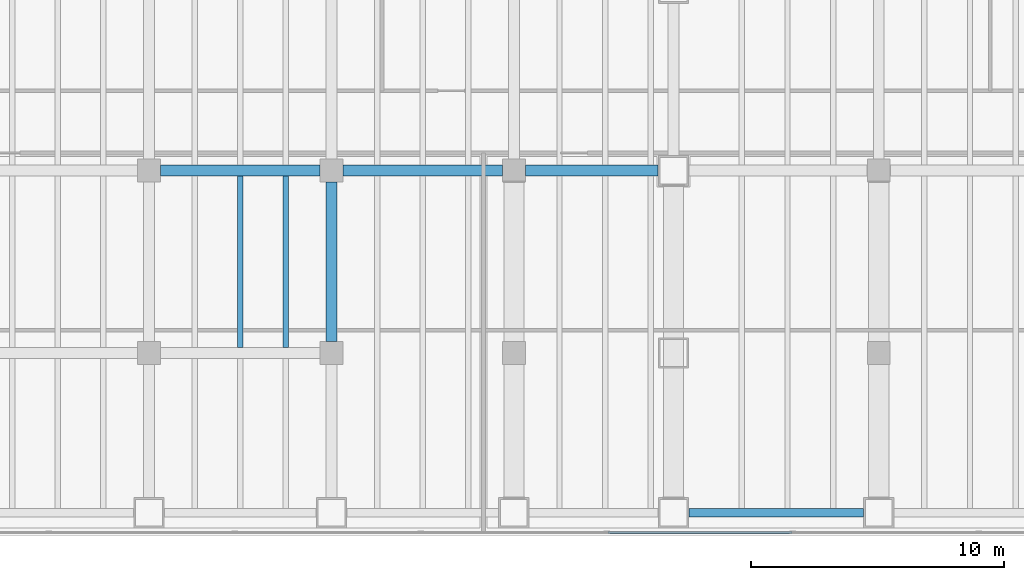
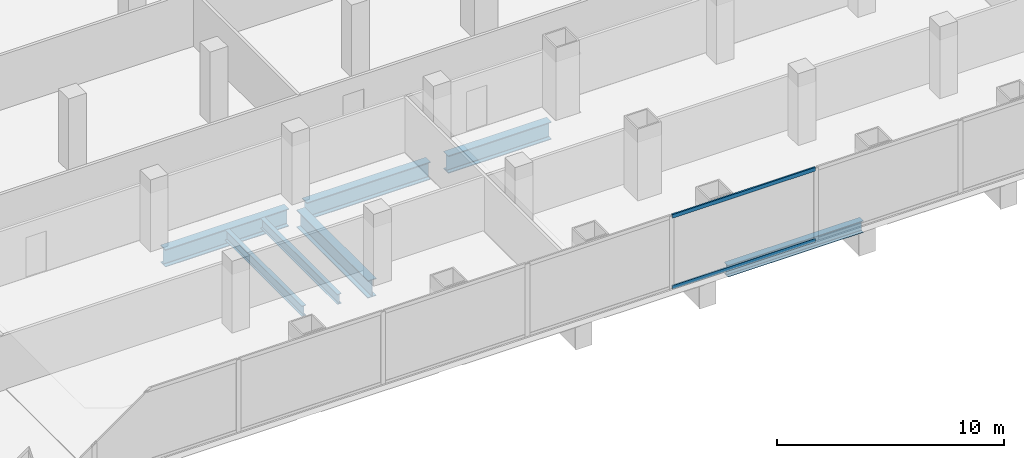
# One storey, part 7 of 34: 7 beams, 2 members, 1 element without a shape of its own.
"""IFC4 building model written with IfcOpenShell, lengths in metres."""

from ifc_helpers import new_model, si_unit, direction, frame, origin, origin_2d, place, context, subcontext, project, spatial, hollow_rectangle, i_section, extrude, material, material_profile, profile_set, type_object, element, aggregate, save


model = new_model("IFC4")

# Units and contexts
model_context = context("Model", 3, precision=1e-05, world=origin(), true_north=direction((0.0, 1.0)))
body_context = subcontext(model_context, "Body", "Model", "MODEL_VIEW")
ifc_project = project(units=[si_unit("LENGTHUNIT", "METRE"), si_unit("AREAUNIT", "SQUARE_METRE"), si_unit("VOLUMEUNIT", "CUBIC_METRE"), si_unit("PLANEANGLEUNIT", "RADIAN"), si_unit("MASSUNIT", "GRAM", prefix="KILO")], contexts=[model_context])

# Site, building, storey
site_placement = place(None, origin())
site = spatial("IfcSite", under=ifc_project, at=site_placement, CompositionType="ELEMENT")
building_placement = place(site_placement, origin())
building = spatial("IfcBuilding", under=site, at=building_placement, Name="Cobrela Telecom Tower", CompositionType="ELEMENT")
storey_placement = place(building_placement, frame((0.0, 0.0, 5.25)))
storey = spatial("IfcBuildingStorey", under=building, at=storey_placement, Name="L01", CompositionType="ELEMENT", Elevation=5.25)

# Beams
ifc_material_1 = material(Name="Steel ASTM A992 Grade 50", Category="steel")
ifc_material_profile_1 = material_profile(ifc_material_1, i_section(OverallWidth=0.424072265625, OverallDepth=0.947021484375, WebThickness=0.02392578125, FlangeThickness=0.042724609375, FilletRadius=0.02392578125, at=origin_2d()), Name="W36X302")
ifc_profile_set_1 = profile_set([ifc_material_profile_1], Name="Steel ASTM A992 Grade 50")
beam_type_1 = type_object("IfcBeamType", Name="BM-GIRD-01", PredefinedType="USERDEFINED", material=ifc_profile_set_1)
for number, where, z_axis, x_axis, name in (
    (1, (29.2548828125, 14.39990234375, -0.7734375), (1.0, 0.0, 0.0), (0.0, 1.0, 0.0), "L01 Primary Girder X15"),
    (2, (36.455078125, 14.39990234375, -0.7734375), (1.0, 0.0, 0.0), (0.0, 1.0, 0.0), "L01 Primary Girder X16"),
):
    element("IfcBeam", number, at=place(storey_placement, frame(where, z_axis=z_axis, x_axis=x_axis)), inside=storey, type_object=beam_type_1, Name=name, ObjectType="GIRDER", PredefinedType="USERDEFINED", context=body_context, shape_type="SweptSolid", body=[
        extrude(i_section(OverallWidth=0.424072265625, OverallDepth=0.947021484375, WebThickness=0.02392578125, FlangeThickness=0.042724609375, FilletRadius=0.02392578125, at=origin_2d()), origin(), (0.0, 0.0, 1.0), 6.2900390625),
    ])
beam_1_placement = place(storey_placement, frame((43.655029296875, 14.39990234375, -0.7734375), z_axis=(1.0, 0.0, 0.0), x_axis=(0.0, 1.0, 0.0)))
element("IfcBeam", 3, at=beam_1_placement, inside=storey, type_object=beam_type_1, Name="L01 Primary Girder X17", ObjectType="GIRDER", PredefinedType="USERDEFINED", context=body_context, shape_type="SweptSolid", body=[
    extrude(i_section(OverallWidth=0.424072265625, OverallDepth=0.947021484375, WebThickness=0.02392578125, FlangeThickness=0.042724609375, FilletRadius=0.02392578125, at=origin_2d()), origin(), (0.0, 0.0, 1.0), 5.239990234375),
])
beam_2_placement = place(storey_placement, frame((36.0, 7.655029296875, -0.7734375), z_axis=(0.0, 1.0, 0.0), x_axis=(-1.0, 0.0, 0.0)))
element("IfcBeam", 4, at=beam_2_placement, inside=storey, type_object=beam_type_1, Name="L01 Primary Girder Y66", ObjectType="GIRDER", PredefinedType="USERDEFINED", context=body_context, shape_type="SweptSolid", body=[
    extrude(i_section(OverallWidth=0.424072265625, OverallDepth=0.947021484375, WebThickness=0.02392578125, FlangeThickness=0.042724609375, FilletRadius=0.02392578125, at=origin_2d()), origin(), (0.0, 0.0, 1.0), 6.2900390625),
])
ifc_material_profile_2 = material_profile(ifc_material_1, i_section(OverallWidth=0.212890625, OverallDepth=0.549072265625, WebThickness=0.0146484375, FlangeThickness=0.023681640625, FilletRadius=0.013916015625, at=origin_2d()), Name="W21X93")
ifc_profile_set_2 = profile_set([ifc_material_profile_2], Name="Steel ASTM A992 Grade 50")
beam_type_2 = type_object("IfcBeamType", Name="BM-JOIST-01", PredefinedType="JOIST", material=ifc_profile_set_2)
for number, where, z_axis, x_axis, name in (
    (5, (32.39990234375, 7.4169921875, -0.574462890625), (0.0, 1.0, 0.0), (-1.0, 0.0, 0.0), "L01 Secondary Composite Floor Beam J59"),
    (6, (34.199951171875, 7.4169921875, -0.574462890625), (0.0, 1.0, 0.0), (-1.0, 0.0, 0.0), "L01 Secondary Composite Floor Beam J64"),
):
    element("IfcBeam", number, at=place(storey_placement, frame(where, z_axis=z_axis, x_axis=x_axis)), inside=storey, type_object=beam_type_2, Name=name, PredefinedType="JOIST", context=body_context, shape_type="SweptSolid", body=[
        extrude(i_section(OverallWidth=0.212890625, OverallDepth=0.549072265625, WebThickness=0.0146484375, FlangeThickness=0.023681640625, FilletRadius=0.013916015625, at=origin_2d()), origin(), (0.0, 0.0, 1.0), 6.76611328125),
    ])
ifc_material_profile_3 = material_profile(ifc_material_1, i_section(OverallWidth=0.327880859375, OverallDepth=0.6220703125, WebThickness=0.015380859375, FlangeThickness=0.0244140625, FilletRadius=0.014892578125, at=origin_2d()), Name="W24X131")
ifc_profile_set_3 = profile_set([ifc_material_profile_3], Name="Steel ASTM A992 Grade 50")
beam_type_3 = type_object("IfcBeamType", Name="BM-SPAND-01", PredefinedType="SPANDREL", material=ifc_profile_set_3)
beam_3_placement = place(storey_placement, frame((50.10498046875, 0.89990234375, -0.611083984375), z_axis=(1.0, 0.0, 0.0), x_axis=(0.0, 1.0, 0.0)))
element("IfcBeam", 7, at=beam_3_placement, inside=storey, type_object=beam_type_3, Name="L01 Perimeter Spandrel X06", PredefinedType="SPANDREL", context=body_context, shape_type="SweptSolid", body=[
    extrude(i_section(OverallWidth=0.327880859375, OverallDepth=0.6220703125, WebThickness=0.015380859375, FlangeThickness=0.0244140625, FilletRadius=0.014892578125, at=origin_2d()), origin(), (0.0, 0.0, 1.0), 6.89013671875),
])

# Curtain wall, members
ifc_material_2 = material(Name="Anodized Bronze Aluminium 6063-T6", Category="aluminium")
curtain_wall_type = type_object("IfcCurtainWallType", Name="CW-SYS-CONC", PredefinedType="USERDEFINED", material=ifc_material_2)
curtain_wall_placement = place(storey_placement, origin())
curtain_wall = element("IfcCurtainWall", 8, at=curtain_wall_placement, inside=storey, type_object=curtain_wall_type, Name="L01 Unitised Bronze Curtain Wall 17", ObjectType="UNITISED CURTAIN WALL", PredefinedType="USERDEFINED")
ifc_material_profile_4 = material_profile(ifc_material_2, hollow_rectangle(XDim=0.080078125, YDim=0.199951171875, WallThickness=0.00390625, at=origin_2d()), Name="ALU 80x200x4")
ifc_profile_set_4 = profile_set([ifc_material_profile_4], Name="Anodized Bronze Aluminium 6063-T6")
member_type = type_object("IfcMemberType", Name="CW-SYS-CONC-TRN", PredefinedType="USERDEFINED", material=ifc_profile_set_4)
member_1_placement = place(storey_placement, frame((54.172607421875, 0.1201171875, 0.0400390625), z_axis=(-1.0, 0.0, 0.0), x_axis=(0.0, -1.0, 0.0)))
member_1 = element("IfcMember", 9, at=member_1_placement, type_object=member_type, Name="CW-CONC transom 5.1", ObjectType="TRANSOM", PredefinedType="USERDEFINED", context=body_context, shape_type="SweptSolid", body=[
    extrude(hollow_rectangle(XDim=0.080078125, YDim=0.199951171875, WallThickness=0.00390625, at=origin_2d()), origin(), (0.0, 0.0, 1.0), 7.26171875),
])
member_2_placement = place(storey_placement, frame((54.172607421875, 0.1201171875, 3.860107421875), z_axis=(-1.0, 0.0, 0.0), x_axis=(0.0, -1.0, 0.0)))
member_2 = element("IfcMember", 10, at=member_2_placement, type_object=member_type, Name="CW-CONC transom 5.2", ObjectType="TRANSOM", PredefinedType="USERDEFINED", context=body_context, shape_type="SweptSolid", body=[
    extrude(hollow_rectangle(XDim=0.080078125, YDim=0.199951171875, WallThickness=0.00390625, at=origin_2d()), origin(), (0.0, 0.0, 1.0), 7.26171875),
])
aggregate(curtain_wall, [member_1, member_2])

save(model, "model.ifc")
